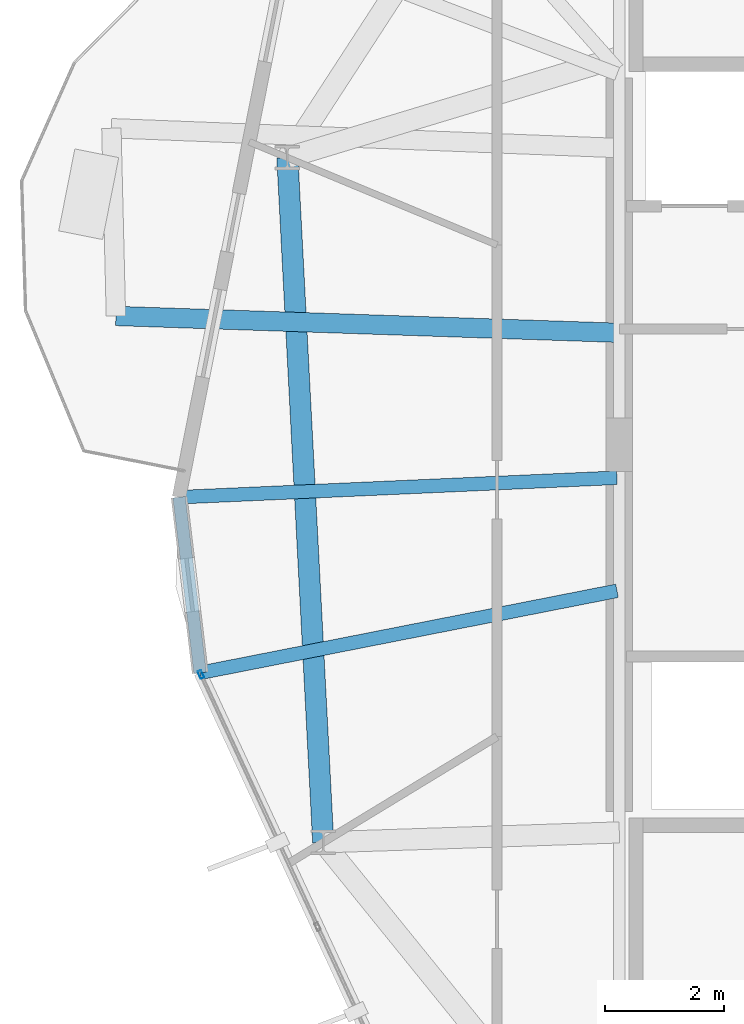
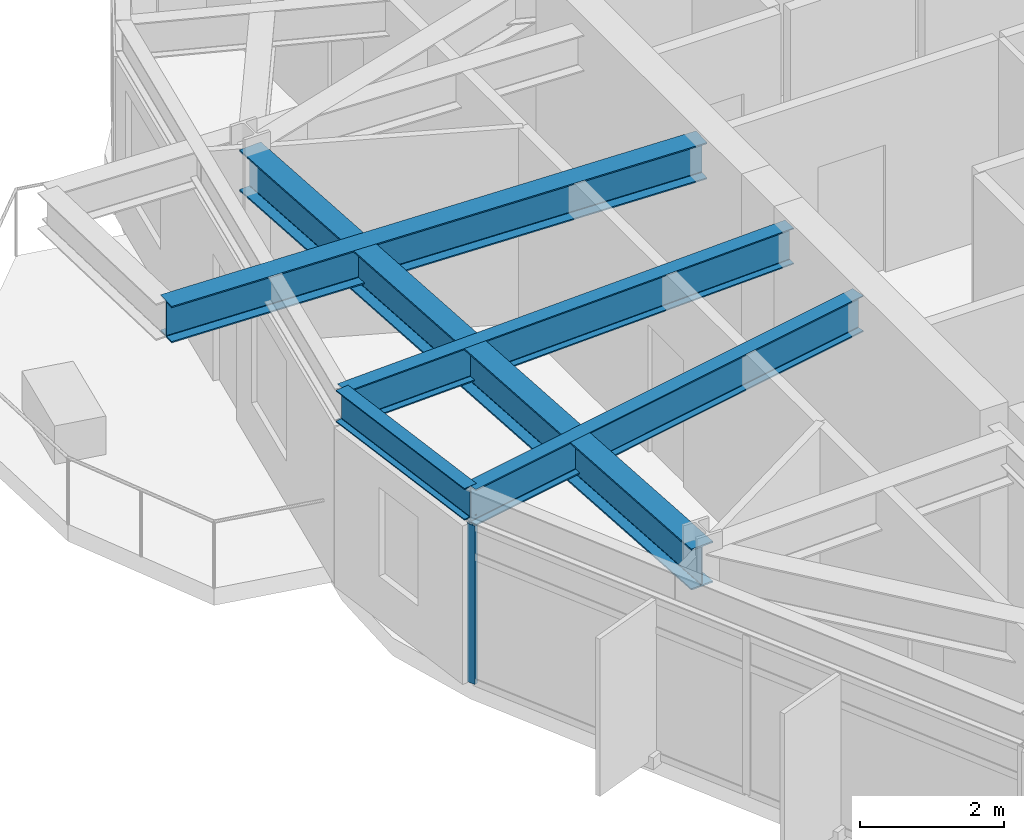
# One storey, part 7 of 25: 5 beams, 1 member, 1 element without a shape of its own.
"""IFC4 building model written with IfcOpenShell, lengths in metres."""

from ifc_helpers import new_model, si_unit, direction, frame, origin, origin_2d, place, context, subcontext, project, spatial, hollow_rectangle, i_section, extrude, material, layer, layer_set, material_profile, profile_set, type_object, element, aggregate, save


model = new_model("IFC4")

# Units and contexts
model_context = context("Model", 3, precision=1e-05, world=origin(), true_north=direction((0.0, 1.0)))
body_context = subcontext(model_context, "Body", "Model", "MODEL_VIEW")
ifc_project = project(units=[si_unit("LENGTHUNIT", "METRE"), si_unit("AREAUNIT", "SQUARE_METRE"), si_unit("VOLUMEUNIT", "CUBIC_METRE"), si_unit("PLANEANGLEUNIT", "RADIAN"), si_unit("MASSUNIT", "GRAM", prefix="KILO")], contexts=[model_context])

# Site, building, storey
site_placement = place(None, origin())
site = spatial("IfcSite", under=ifc_project, at=site_placement, CompositionType="ELEMENT")
building_placement = place(site_placement, origin())
building = spatial("IfcBuilding", under=site, at=building_placement, Name="Soratama Intermodal Tower", CompositionType="ELEMENT")
storey_placement = place(building_placement, frame((0.0, 0.0, 190.60009765625)))
storey = spatial("IfcBuildingStorey", under=building, at=storey_placement, Name="L47", CompositionType="ELEMENT", Elevation=190.60009765625)

# Beams
ifc_material_1 = material(Name="Structural steel ASTM A992 Grade 50", Category="steel")
ifc_material_profile_1 = material_profile(ifc_material_1, i_section(OverallWidth=0.324951171875, OverallDepth=0.615966796875, WebThickness=0.013916015625, FlangeThickness=0.021484375, FilletRadius=0.013916015625, at=origin_2d()), Name="W24X117")
ifc_profile_set_1 = profile_set([ifc_material_profile_1], Name="Structural steel ASTM A992 Grade 50")
beam_type_1 = type_object("IfcBeamType", Name="BM-CANT-W24X117", PredefinedType="BEAM", material=ifc_profile_set_1)
beam_1_placement = place(storey_placement, frame((32.56005859375, 26.87890625, 2.991943359375), z_axis=(-0.999441064323, 0.033429910931, 0.0), x_axis=(-0.033429910931, -0.999441064323, 0.0)))
element("IfcBeam", 1, at=beam_1_placement, inside=storey, type_object=beam_type_1, Name="BM-L47-CANT-3-2", PredefinedType="BEAM", context=body_context, shape_type="SweptSolid", body=[
    extrude(i_section(OverallWidth=0.324951171875, OverallDepth=0.615966796875, WebThickness=0.013916015625, FlangeThickness=0.021484375, FilletRadius=0.013916015625, at=origin_2d()), origin(), (0.0, 0.0, 1.0), 8.40576171875),
])
ifc_material_2 = material(Name="Structural steel ASTM A992 Grade 50", Category="steel")
ifc_material_profile_2 = material_profile(ifc_material_2, i_section(OverallWidth=0.35498046875, OverallDepth=0.695068359375, WebThickness=0.015380859375, FlangeThickness=0.02490234375, FilletRadius=0.01611328125, at=origin_2d()), Name="W27X146")
ifc_profile_set_2 = profile_set([ifc_material_profile_2], Name="Structural steel ASTM A992 Grade 50")
beam_type_2 = type_object("IfcBeamType", Name="BM-RING-W27X146", PredefinedType="BEAM", material=ifc_profile_set_2)
beam_2_placement = place(storey_placement, frame((27.033935546875, 29.81396484375, 2.952392578125), z_axis=(0.052286849724, -0.998632107108, 0.0), x_axis=(0.998632107108, 0.052286849724, 0.0)))
element("IfcBeam", 2, at=beam_2_placement, inside=storey, type_object=beam_type_2, Name="BM-L47-RING-05", PredefinedType="BEAM", context=body_context, shape_type="SweptSolid", body=[
    extrude(i_section(OverallWidth=0.35498046875, OverallDepth=0.695068359375, WebThickness=0.015380859375, FlangeThickness=0.02490234375, FilletRadius=0.01611328125, at=origin_2d()), origin(), (0.0, 0.0, 1.0), 11.49560546875),
])
ifc_material_3 = material(Name="Structural steel ASTM A992 Grade 50", Category="steel")
ifc_material_profile_3 = material_profile(ifc_material_3, i_section(OverallWidth=0.2099609375, OverallDepth=0.537109375, WebThickness=0.010986328125, FlangeThickness=0.017333984375, FilletRadius=0.012939453125, at=origin_2d()), Name="W21X68")
ifc_profile_set_3 = profile_set([ifc_material_profile_3], Name="Structural steel ASTM A992 Grade 50")
beam_type_3 = type_object("IfcBeamType", Name="BM-SPN-W21X68", PredefinedType="SPANDREL", material=ifc_profile_set_3)
beam_3_placement = place(storey_placement, frame((25.218017578125, 24.12109375, 3.031494140625), z_axis=(0.119018640537, -0.992892019912, 0.0), x_axis=(0.992892019912, 0.119018640537, 0.0)))
element("IfcBeam", 3, at=beam_3_placement, inside=storey, type_object=beam_type_3, Name="BS-L47-CRN04", PredefinedType="SPANDREL", context=body_context, shape_type="SweptSolid", body=[
    extrude(i_section(OverallWidth=0.2099609375, OverallDepth=0.537109375, WebThickness=0.010986328125, FlangeThickness=0.017333984375, FilletRadius=0.012939453125, at=origin_2d()), origin(), (0.0, 0.0, 1.0), 2.966064453125),
])
ifc_material_4 = material(Name="Structural steel ASTM A992 Grade 50", Category="steel")
ifc_material_profile_4 = material_profile(ifc_material_4, i_section(OverallWidth=0.22900390625, OverallDepth=0.612060546875, WebThickness=0.011962890625, FlangeThickness=0.01953125, FilletRadius=0.012939453125, at=origin_2d()), Name="W24X84")
ifc_profile_set_4 = profile_set([ifc_material_profile_4], Name="Structural steel ASTM A992 Grade 50")
beam_type_4 = type_object("IfcBeamType", Name="BM-TIE-W24X84", PredefinedType="BEAM", material=ifc_profile_set_4)
beam_4_placement = place(storey_placement, frame((32.56005859375, 24.447021484375, 2.993896484375), z_axis=(-0.999016129985, -0.044348303579, 0.0), x_axis=(0.044348303579, -0.999016129985, 0.0)))
element("IfcBeam", 4, at=beam_4_placement, inside=storey, type_object=beam_type_4, Name="BM-L47-TIE1-04", PredefinedType="BEAM", context=body_context, shape_type="SweptSolid", body=[
    extrude(i_section(OverallWidth=0.22900390625, OverallDepth=0.612060546875, WebThickness=0.011962890625, FlangeThickness=0.01953125, FilletRadius=0.012939453125, at=origin_2d()), origin(), (0.0, 0.0, 1.0), 7.349365234375),
])
beam_5_placement = place(storey_placement, frame((32.56103515625, 22.551025390625, 2.993896484375), z_axis=(-0.981196584479, -0.193011042708, 0.0), x_axis=(0.193011042708, -0.981196584479, 0.0)))
element("IfcBeam", 5, at=beam_5_placement, inside=storey, type_object=beam_type_4, Name="BM-L47-TIE0-05", PredefinedType="BEAM", context=body_context, shape_type="SweptSolid", body=[
    extrude(i_section(OverallWidth=0.22900390625, OverallDepth=0.612060546875, WebThickness=0.011962890625, FlangeThickness=0.01953125, FilletRadius=0.012939453125, at=origin_2d()), origin(), (0.0, 0.0, 1.0), 7.1240234375),
])

# Curtain wall, member
ifc_material_5 = material(Name="Double-glazed aluminium curtain wall", Category="aluminium")
ifc_layer = layer(ifc_material_5, 0.159912109375)
ifc_layer_set = layer_set([ifc_layer], Name="Double-glazed aluminium curtain wall")
curtain_wall_type = type_object("IfcCurtainWallType", Name="CW-SYS-5", PredefinedType="NOTDEFINED", material=ifc_layer_set)
curtain_wall_placement = place(storey_placement, origin())
curtain_wall = element("IfcCurtainWall", 6, at=curtain_wall_placement, inside=storey, type_object=curtain_wall_type, Name="L47 Faceted Curtain Wall F05", PredefinedType="NOTDEFINED")
ifc_material_6 = material(Name="Anodised aluminium AA 6063-T6", Category="aluminium")
ifc_material_profile_5 = material_profile(ifc_material_6, hollow_rectangle(XDim=0.06494140625, YDim=0.139892578125, WallThickness=0.0048828125, InnerFilletRadius=0.0048828125, OuterFilletRadius=0.010009765625, at=origin_2d()), Name="CWM140X65X5")
ifc_profile_set_5 = profile_set([ifc_material_profile_5], Name="Anodised aluminium AA 6063-T6")
member_type = type_object("IfcMemberType", Name="MT-CWM-5", PredefinedType="MULLION", material=ifc_profile_set_5)
member_placement = place(storey_placement, frame((25.583984375, 21.1484375, 0.0), z_axis=(0.0, 0.0, 1.0), x_axis=(0.907481505126, 0.42009203498, 0.0)))
member = element("IfcMember", 7, at=member_placement, type_object=member_type, Name="CW-5 mullion 1", PredefinedType="MULLION", context=body_context, shape_type="SweptSolid", body=[
    extrude(hollow_rectangle(XDim=0.06494140625, YDim=0.139892578125, WallThickness=0.0048828125, InnerFilletRadius=0.0048828125, OuterFilletRadius=0.010009765625, at=origin_2d()), origin(), (0.0, 0.0, 1.0), 2.678955078125),
])
aggregate(curtain_wall, [member])

save(model, "model.ifc")
